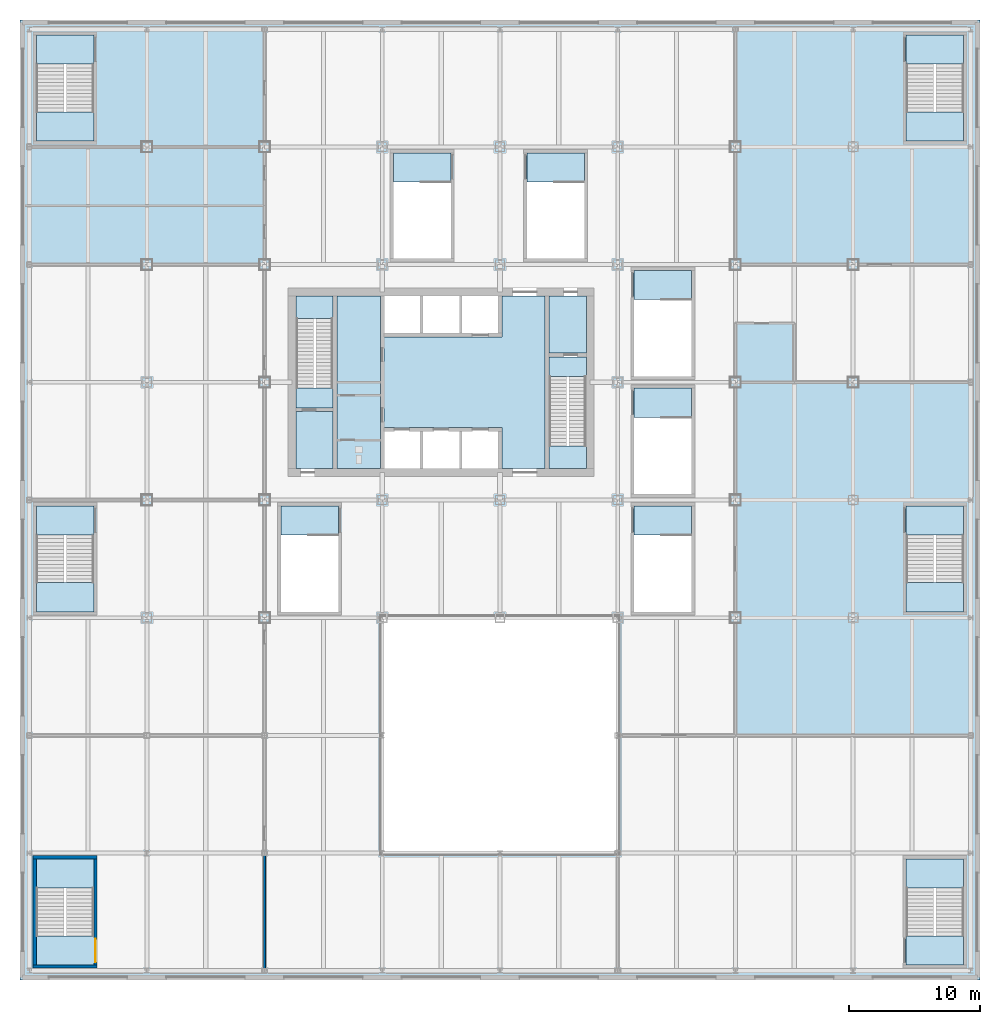
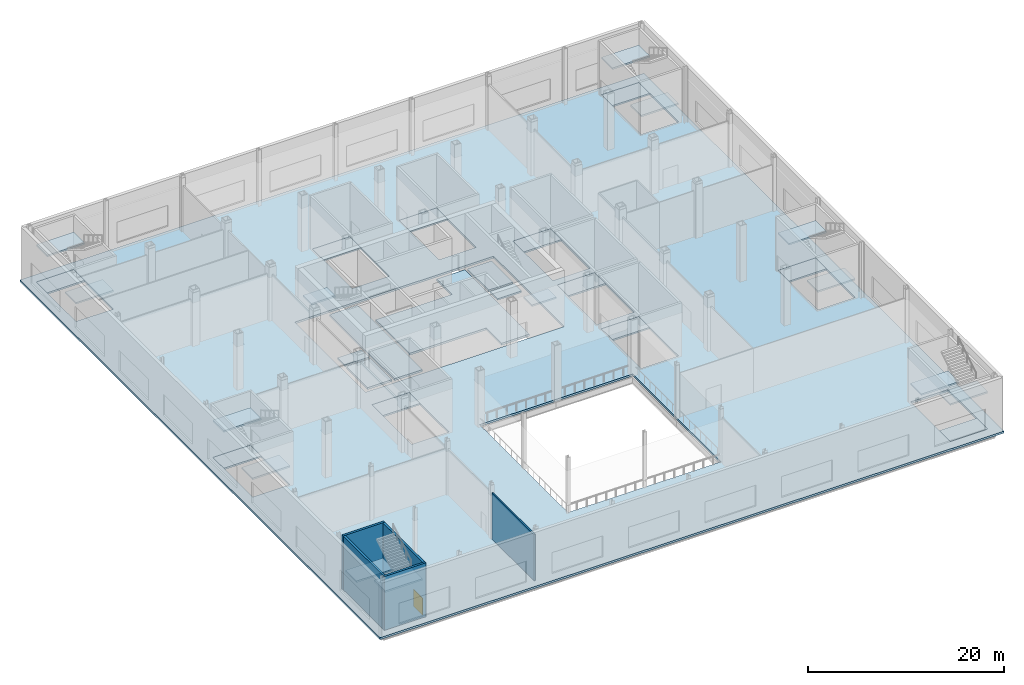
# One storey, part 10 of 32: 32 slabs, 5 walls, 1 door, 1 opening, 8 elements without a shape of their own.
"""IFC4 building model written with IfcOpenShell, lengths in metres."""

from ifc_helpers import new_model, si_unit, direction, frame, frame_2d, origin, place, context, subcontext, project, spatial, polyline, rectangle, outline, extrude, material, layer, layer_set, type_object, element, fill, aggregate, save


model = new_model("IFC4")

# Units and contexts
model_context = context("Model", 3, precision=1e-05, world=origin(), true_north=direction((0.0, 1.0)))
body_context = subcontext(model_context, "Body", "Model", "MODEL_VIEW")
ifc_project = project(units=[si_unit("LENGTHUNIT", "METRE"), si_unit("AREAUNIT", "SQUARE_METRE"), si_unit("VOLUMEUNIT", "CUBIC_METRE"), si_unit("PLANEANGLEUNIT", "RADIAN"), si_unit("MASSUNIT", "GRAM", prefix="KILO")], contexts=[model_context])

# Site, building, storey
site_placement = place(None, origin())
site = spatial("IfcSite", under=ifc_project, at=site_placement, CompositionType="ELEMENT")
building_placement = place(site_placement, origin())
building = spatial("IfcBuilding", under=site, at=building_placement, Name="Loomwork Tower", CompositionType="ELEMENT")
storey_placement = place(building_placement, frame((0.0, 0.0, 16.0)))
storey = spatial("IfcBuildingStorey", under=building, at=storey_placement, Name="L03", CompositionType="ELEMENT", Elevation=16.0)

# Slabs
ifc_material_1 = material(Name="Concrete 5000 psi (34 MPa) on composite metal deck", Category="concrete")
ifc_layer_1 = layer(ifc_material_1, 0.25)
ifc_layer_set_1 = layer_set([ifc_layer_1], Name="Floor slab 250")
slab_type_1 = type_object("IfcSlabType", Name="Floor slab 250", PredefinedType="FLOOR", material=ifc_layer_set_1)
slab_1_placement = place(storey_placement, frame((0.0, 0.0, -0.25)))
element("IfcSlab", 1, at=slab_1_placement, inside=storey, type_object=slab_type_1, Name="Floor slab L03", PredefinedType="FLOOR", context=body_context, shape_type="SweptSolid", body=[
    extrude(outline(polyline([(-9.699951171875, -27.699951171875), (-9.699951171875, 45.699951171875), (63.699951171875, 45.699951171875), (63.699951171875, -27.699951171875), (-9.699951171875, -27.699951171875)]), holes=[polyline([(58.050048828125, 36.449951171875), (62.449951171875, 36.449951171875), (62.449951171875, 44.550048828125), (58.050048828125, 44.550048828125), (58.050048828125, 36.449951171875)]), polyline([(58.050048828125, 0.449951171875), (62.449951171875, 0.449951171875), (62.449951171875, 8.550048828125), (58.050048828125, 8.550048828125), (58.050048828125, 0.449951171875)]), polyline([(58.050048828125, -26.550048828125), (62.449951171875, -26.550048828125), (62.449951171875, -18.449951171875), (58.050048828125, -18.449951171875), (58.050048828125, -26.550048828125)]), polyline([(41.64990234375, 9.449951171875), (41.64990234375, 17.550048828125), (37.25, 17.550048828125), (37.25, 9.449951171875), (41.64990234375, 9.449951171875)]), polyline([(37.25, 18.449951171875), (41.64990234375, 18.449951171875), (41.64990234375, 26.550048828125), (37.25, 26.550048828125), (37.25, 18.449951171875)]), polyline([(37.25, 0.449951171875), (41.64990234375, 0.449951171875), (41.64990234375, 8.550048828125), (37.25, 8.550048828125), (37.25, 0.449951171875)]), polyline([(18.0, -18.0), (36.0, -18.0), (36.0, 0.0), (18.0, 0.0), (18.0, -18.0)]), polyline([(34.199951171875, 11.39990234375), (34.199951171875, 24.60009765625), (34.199951171875, 25.199951171875), (10.800048828125, 25.199951171875), (10.800048828125, 24.60009765625), (10.800048828125, 11.39990234375), (10.800048828125, 11.39990234375), (10.800048828125, 10.800048828125), (34.199951171875, 10.800048828125), (34.199951171875, 11.39990234375), (34.199951171875, 11.39990234375)]), polyline([(29.050048828125, 27.449951171875), (33.449951171875, 27.449951171875), (33.449951171875, 35.550048828125), (29.050048828125, 35.550048828125), (29.050048828125, 27.449951171875)]), polyline([(18.85009765625, 27.449951171875), (23.25, 27.449951171875), (23.25, 35.550048828125), (18.85009765625, 35.550048828125), (18.85009765625, 27.449951171875)]), polyline([(10.25, 0.449951171875), (14.64990234375, 0.449951171875), (14.64990234375, 8.550048828125), (10.25, 8.550048828125), (10.25, 0.449951171875)]), polyline([(-4.050048828125, -26.550048828125), (-4.050048828125, -18.449951171875), (-8.449951171875, -18.449951171875), (-8.449951171875, -26.550048828125), (-4.050048828125, -26.550048828125)]), polyline([(-8.449951171875, 36.449951171875), (-4.050048828125, 36.449951171875), (-4.050048828125, 44.550048828125), (-8.449951171875, 44.550048828125), (-8.449951171875, 36.449951171875)]), polyline([(-8.449951171875, 0.449951171875), (-4.050048828125, 0.449951171875), (-4.050048828125, 8.550048828125), (-8.449951171875, 8.550048828125), (-8.449951171875, 0.449951171875)])]), origin(), (0.0, 0.0, 1.0), 0.25),
])
slab_2_placement = place(storey_placement, frame((0.0, 0.0, -0.25)))
element("IfcSlab", 2, at=slab_2_placement, inside=storey, type_object=slab_type_1, Name="Floor slab L03", PredefinedType="FLOOR", context=body_context, shape_type="SweptSolid", body=[
    extrude(outline(polyline([(18.14990234375, 21.449951171875), (27.14990234375, 21.449951171875), (27.14990234375, 21.75), (27.14990234375, 24.60009765625), (30.449951171875, 24.60009765625), (30.449951171875, 11.39990234375), (27.14990234375, 11.39990234375), (27.14990234375, 14.25), (27.14990234375, 14.550048828125), (18.14990234375, 14.550048828125), (18.14990234375, 21.449951171875)])), origin(), (0.0, 0.0, 1.0), 0.25),
])
slab_3_placement = place(storey_placement, frame((0.0, 0.0, -0.25)))
element("IfcSlab", 3, at=slab_3_placement, inside=storey, type_object=slab_type_1, Name="Floor slab L03", PredefinedType="FLOOR", context=body_context, shape_type="SweptSolid", body=[
    extrude(outline(polyline([(14.550048828125, 24.60009765625), (17.85009765625, 24.60009765625), (17.85009765625, 11.39990234375), (14.550048828125, 11.39990234375), (14.550048828125, 24.60009765625)])), origin(), (0.0, 0.0, 1.0), 0.25),
])
slab_4_placement = place(storey_placement, frame((0.0, 0.0, -0.25)))
element("IfcSlab", 4, at=slab_4_placement, inside=storey, type_object=slab_type_1, Name="Floor slab L03", PredefinedType="FLOOR", context=body_context, shape_type="SweptSolid", body=[
    extrude(outline(polyline([(33.60009765625, 20.25), (30.75, 20.25), (30.75, 24.60009765625), (33.60009765625, 24.60009765625), (33.60009765625, 20.25)])), origin(), (0.0, 0.0, 1.0), 0.25),
])
slab_5_placement = place(storey_placement, frame((0.0, 0.0, -0.25)))
element("IfcSlab", 5, at=slab_5_placement, inside=storey, type_object=slab_type_1, Name="Floor slab L03", PredefinedType="FLOOR", context=body_context, shape_type="SweptSolid", body=[
    extrude(outline(polyline([(14.25, 15.75), (14.25, 11.39990234375), (11.39990234375, 11.39990234375), (11.39990234375, 15.75), (14.25, 15.75)])), origin(), (0.0, 0.0, 1.0), 0.25),
])

# Stair, slabs
ifc_material_2 = material(Name="Concrete 5000 psi (34 MPa) precast stair", Category="concrete")
stair_type_1 = type_object("IfcStairType", Name="Stair ST-A 40 risers 2850 wide", PredefinedType="HALF_TURN_STAIR", material=ifc_material_2)
stair_1_placement = place(storey_placement, origin())
stair_1 = element("IfcStair", 6, at=stair_1_placement, inside=storey, type_object=stair_type_1, Name="Stair A L03", PredefinedType="HALF_TURN_STAIR")
ifc_material_3 = material(Name="Concrete 5000 psi (34 MPa)", Category="concrete")
ifc_layer_2 = layer(ifc_material_3, 0.199951171875)
ifc_layer_set_2 = layer_set([ifc_layer_2], Name="Stair landing 200")
slab_type_2 = type_object("IfcSlabType", Name="Stair landing 200", PredefinedType="LANDING", material=ifc_layer_set_2)
slab_6_placement = place(storey_placement, frame((0.0, 0.0, -0.199951171875)))
slab_6 = element("IfcSlab", 7, at=slab_6_placement, type_object=slab_type_2, Name="ST-A landing 1", PredefinedType="LANDING", context=body_context, shape_type="SweptSolid", body=[
    extrude(outline(polyline([(11.39990234375, 16.050048828125), (14.25, 16.050048828125), (14.25, 17.550048828125), (11.39990234375, 17.550048828125), (11.39990234375, 16.050048828125)])), origin(), (0.0, 0.0, 1.0), 0.199951171875),
])
slab_7_placement = place(storey_placement, frame((0.0, 0.0, 3.300048828125)))
slab_7 = element("IfcSlab", 8, at=slab_7_placement, type_object=slab_type_2, Name="ST-A landing 2", PredefinedType="LANDING", context=body_context, shape_type="SweptSolid", body=[
    extrude(outline(polyline([(11.39990234375, 22.8701171875), (14.25, 22.8701171875), (14.25, 24.60009765625), (11.39990234375, 24.60009765625), (11.39990234375, 22.8701171875)])), origin(), (0.0, 0.0, 1.0), 0.199951171875),
])
aggregate(stair_1, [slab_6, slab_7])

ifc_material_4 = material(Name="Concrete 5000 psi (34 MPa) precast stair", Category="concrete")
stair_type_2 = type_object("IfcStairType", Name="Stair ST-B 40 risers 2850 wide", PredefinedType="HALF_TURN_STAIR", material=ifc_material_4)
stair_2_placement = place(storey_placement, origin())
stair_2 = element("IfcStair", 9, at=stair_2_placement, inside=storey, type_object=stair_type_2, Name="Stair B L03", PredefinedType="HALF_TURN_STAIR")
slab_8_placement = place(storey_placement, frame((0.0, 0.0, -0.199951171875)))
slab_8 = element("IfcSlab", 10, at=slab_8_placement, type_object=slab_type_2, Name="ST-B landing 1", PredefinedType="LANDING", context=body_context, shape_type="SweptSolid", body=[
    extrude(outline(polyline([(30.75, 18.449951171875), (33.60009765625, 18.449951171875), (33.60009765625, 19.949951171875), (30.75, 19.949951171875), (30.75, 18.449951171875)])), origin(), (0.0, 0.0, 1.0), 0.199951171875),
])
slab_9_placement = place(storey_placement, frame((0.0, 0.0, 3.300048828125)))
slab_9 = element("IfcSlab", 11, at=slab_9_placement, type_object=slab_type_2, Name="ST-B landing 2", PredefinedType="LANDING", context=body_context, shape_type="SweptSolid", body=[
    extrude(outline(polyline([(30.75, 11.39990234375), (33.60009765625, 11.39990234375), (33.60009765625, 13.1298828125), (30.75, 13.1298828125), (30.75, 11.39990234375)])), origin(), (0.0, 0.0, 1.0), 0.199951171875),
])
aggregate(stair_2, [slab_8, slab_9])

ifc_material_5 = material(Name="Concrete 5000 psi (34 MPa) precast stair", Category="concrete")
stair_type_3 = type_object("IfcStairType", Name="Stair ST-S1P 42 risers of 167 4400 wide", PredefinedType="HALF_TURN_STAIR", material=ifc_material_5)
stair_3_placement = place(storey_placement, origin())
stair_3 = element("IfcStair", 12, at=stair_3_placement, inside=storey, type_object=stair_type_3, Name="Podium stair PS1 L03", PredefinedType="HALF_TURN_STAIR")
slab_10_placement = place(storey_placement, frame((0.0, 0.0, 2.13330078125)))
slab_10 = element("IfcSlab", 13, at=slab_10_placement, type_object=slab_type_2, Name="ST-S1P landing 2", PredefinedType="LANDING", context=body_context, shape_type="SweptSolid", body=[
    extrude(outline(polyline([(-8.449951171875, -20.679931640625), (-4.050048828125, -20.679931640625), (-4.050048828125, -18.449951171875), (-8.449951171875, -18.449951171875), (-8.449951171875, -20.679931640625)])), origin(), (0.0, 0.0, 1.0), 0.199951171875),
])
slab_11_placement = place(storey_placement, frame((0.0, 0.0, 4.466796875)))
slab_11 = element("IfcSlab", 14, at=slab_11_placement, type_object=slab_type_2, Name="ST-S1P landing 3", PredefinedType="LANDING", context=body_context, shape_type="SweptSolid", body=[
    extrude(outline(polyline([(-8.449951171875, -26.550048828125), (-4.050048828125, -26.550048828125), (-4.050048828125, -24.320068359375), (-8.449951171875, -24.320068359375), (-8.449951171875, -26.550048828125)])), origin(), (0.0, 0.0, 1.0), 0.199951171875),
])
aggregate(stair_3, [slab_10, slab_11])

ifc_material_6 = material(Name="Concrete 5000 psi (34 MPa) precast stair", Category="concrete")
stair_type_4 = type_object("IfcStairType", Name="Stair ST-S2P 42 risers of 167 4400 wide", PredefinedType="HALF_TURN_STAIR", material=ifc_material_6)
stair_4_placement = place(storey_placement, origin())
stair_4 = element("IfcStair", 15, at=stair_4_placement, inside=storey, type_object=stair_type_4, Name="Podium stair PS2 L03", PredefinedType="HALF_TURN_STAIR")
slab_12_placement = place(storey_placement, frame((0.0, 0.0, -0.199951171875)))
slab_12 = element("IfcSlab", 16, at=slab_12_placement, type_object=slab_type_2, Name="ST-S2P landing 1", PredefinedType="LANDING", context=body_context, shape_type="SweptSolid", body=[
    extrude(outline(polyline([(58.050048828125, -26.550048828125), (62.449951171875, -26.550048828125), (62.449951171875, -24.320068359375), (58.050048828125, -24.320068359375), (58.050048828125, -26.550048828125)])), origin(), (0.0, 0.0, 1.0), 0.199951171875),
])
slab_13_placement = place(storey_placement, frame((0.0, 0.0, 2.13330078125)))
slab_13 = element("IfcSlab", 17, at=slab_13_placement, type_object=slab_type_2, Name="ST-S2P landing 2", PredefinedType="LANDING", context=body_context, shape_type="SweptSolid", body=[
    extrude(outline(polyline([(58.050048828125, -20.679931640625), (62.449951171875, -20.679931640625), (62.449951171875, -18.449951171875), (58.050048828125, -18.449951171875), (58.050048828125, -20.679931640625)])), origin(), (0.0, 0.0, 1.0), 0.199951171875),
])
slab_14_placement = place(storey_placement, frame((0.0, 0.0, 4.466796875)))
slab_14 = element("IfcSlab", 18, at=slab_14_placement, type_object=slab_type_2, Name="ST-S2P landing 3", PredefinedType="LANDING", context=body_context, shape_type="SweptSolid", body=[
    extrude(outline(polyline([(58.050048828125, -26.550048828125), (62.449951171875, -26.550048828125), (62.449951171875, -24.320068359375), (58.050048828125, -24.320068359375), (58.050048828125, -26.550048828125)])), origin(), (0.0, 0.0, 1.0), 0.199951171875),
])
aggregate(stair_4, [slab_12, slab_13, slab_14])

ifc_material_7 = material(Name="Concrete 5000 psi (34 MPa) precast stair", Category="concrete")
stair_type_5 = type_object("IfcStairType", Name="Stair ST-S3P 42 risers of 167 4400 wide", PredefinedType="HALF_TURN_STAIR", material=ifc_material_7)
stair_5_placement = place(storey_placement, origin())
stair_5 = element("IfcStair", 19, at=stair_5_placement, inside=storey, type_object=stair_type_5, Name="Podium stair PS3 L03", PredefinedType="HALF_TURN_STAIR")
slab_15_placement = place(storey_placement, frame((0.0, 0.0, -0.199951171875)))
slab_15 = element("IfcSlab", 20, at=slab_15_placement, type_object=slab_type_2, Name="ST-S3P landing 1", PredefinedType="LANDING", context=body_context, shape_type="SweptSolid", body=[
    extrude(outline(polyline([(-8.449951171875, 42.320068359375), (-4.050048828125, 42.320068359375), (-4.050048828125, 44.550048828125), (-8.449951171875, 44.550048828125), (-8.449951171875, 42.320068359375)])), origin(), (0.0, 0.0, 1.0), 0.199951171875),
])
slab_16_placement = place(storey_placement, frame((0.0, 0.0, 2.13330078125)))
slab_16 = element("IfcSlab", 21, at=slab_16_placement, type_object=slab_type_2, Name="ST-S3P landing 2", PredefinedType="LANDING", context=body_context, shape_type="SweptSolid", body=[
    extrude(outline(polyline([(-8.449951171875, 36.449951171875), (-4.050048828125, 36.449951171875), (-4.050048828125, 38.679931640625), (-8.449951171875, 38.679931640625), (-8.449951171875, 36.449951171875)])), origin(), (0.0, 0.0, 1.0), 0.199951171875),
])
slab_17_placement = place(storey_placement, frame((0.0, 0.0, 4.466796875)))
slab_17 = element("IfcSlab", 22, at=slab_17_placement, type_object=slab_type_2, Name="ST-S3P landing 3", PredefinedType="LANDING", context=body_context, shape_type="SweptSolid", body=[
    extrude(outline(polyline([(-8.449951171875, 42.320068359375), (-4.050048828125, 42.320068359375), (-4.050048828125, 44.550048828125), (-8.449951171875, 44.550048828125), (-8.449951171875, 42.320068359375)])), origin(), (0.0, 0.0, 1.0), 0.199951171875),
])
aggregate(stair_5, [slab_15, slab_16, slab_17])

ifc_material_8 = material(Name="Concrete 5000 psi (34 MPa) precast stair", Category="concrete")
stair_type_6 = type_object("IfcStairType", Name="Stair ST-S4P 42 risers of 167 4400 wide", PredefinedType="HALF_TURN_STAIR", material=ifc_material_8)
stair_6_placement = place(storey_placement, origin())
stair_6 = element("IfcStair", 23, at=stair_6_placement, inside=storey, type_object=stair_type_6, Name="Podium stair PS4 L03", PredefinedType="HALF_TURN_STAIR")
slab_18_placement = place(storey_placement, frame((0.0, 0.0, -0.199951171875)))
slab_18 = element("IfcSlab", 24, at=slab_18_placement, type_object=slab_type_2, Name="ST-S4P landing 1", PredefinedType="LANDING", context=body_context, shape_type="SweptSolid", body=[
    extrude(outline(polyline([(58.050048828125, 42.320068359375), (62.449951171875, 42.320068359375), (62.449951171875, 44.550048828125), (58.050048828125, 44.550048828125), (58.050048828125, 42.320068359375)])), origin(), (0.0, 0.0, 1.0), 0.199951171875),
])
slab_19_placement = place(storey_placement, frame((0.0, 0.0, 2.13330078125)))
slab_19 = element("IfcSlab", 25, at=slab_19_placement, type_object=slab_type_2, Name="ST-S4P landing 2", PredefinedType="LANDING", context=body_context, shape_type="SweptSolid", body=[
    extrude(outline(polyline([(58.050048828125, 36.449951171875), (62.449951171875, 36.449951171875), (62.449951171875, 38.679931640625), (58.050048828125, 38.679931640625), (58.050048828125, 36.449951171875)])), origin(), (0.0, 0.0, 1.0), 0.199951171875),
])
slab_20_placement = place(storey_placement, frame((0.0, 0.0, 4.466796875)))
slab_20 = element("IfcSlab", 26, at=slab_20_placement, type_object=slab_type_2, Name="ST-S4P landing 3", PredefinedType="LANDING", context=body_context, shape_type="SweptSolid", body=[
    extrude(outline(polyline([(58.050048828125, 42.320068359375), (62.449951171875, 42.320068359375), (62.449951171875, 44.550048828125), (58.050048828125, 44.550048828125), (58.050048828125, 42.320068359375)])), origin(), (0.0, 0.0, 1.0), 0.199951171875),
])
aggregate(stair_6, [slab_18, slab_19, slab_20])

ifc_material_9 = material(Name="Concrete 5000 psi (34 MPa) precast stair", Category="concrete")
stair_type_7 = type_object("IfcStairType", Name="Stair ST-S5P 42 risers of 167 4400 wide", PredefinedType="HALF_TURN_STAIR", material=ifc_material_9)
stair_7_placement = place(storey_placement, origin())
stair_7 = element("IfcStair", 27, at=stair_7_placement, inside=storey, type_object=stair_type_7, Name="Podium stair PS5 L03", PredefinedType="HALF_TURN_STAIR")
slab_21_placement = place(storey_placement, frame((0.0, 0.0, -0.199951171875)))
slab_21 = element("IfcSlab", 28, at=slab_21_placement, type_object=slab_type_2, Name="ST-S5P landing 1", PredefinedType="LANDING", context=body_context, shape_type="SweptSolid", body=[
    extrude(outline(polyline([(-8.449951171875, 6.320068359375), (-4.050048828125, 6.320068359375), (-4.050048828125, 8.550048828125), (-8.449951171875, 8.550048828125), (-8.449951171875, 6.320068359375)])), origin(), (0.0, 0.0, 1.0), 0.199951171875),
])
slab_22_placement = place(storey_placement, frame((0.0, 0.0, 2.13330078125)))
slab_22 = element("IfcSlab", 29, at=slab_22_placement, type_object=slab_type_2, Name="ST-S5P landing 2", PredefinedType="LANDING", context=body_context, shape_type="SweptSolid", body=[
    extrude(outline(polyline([(-8.449951171875, 0.449951171875), (-4.050048828125, 0.449951171875), (-4.050048828125, 2.679931640625), (-8.449951171875, 2.679931640625), (-8.449951171875, 0.449951171875)])), origin(), (0.0, 0.0, 1.0), 0.199951171875),
])
slab_23_placement = place(storey_placement, frame((0.0, 0.0, 4.466796875)))
slab_23 = element("IfcSlab", 30, at=slab_23_placement, type_object=slab_type_2, Name="ST-S5P landing 3", PredefinedType="LANDING", context=body_context, shape_type="SweptSolid", body=[
    extrude(outline(polyline([(-8.449951171875, 6.320068359375), (-4.050048828125, 6.320068359375), (-4.050048828125, 8.550048828125), (-8.449951171875, 8.550048828125), (-8.449951171875, 6.320068359375)])), origin(), (0.0, 0.0, 1.0), 0.199951171875),
])
aggregate(stair_7, [slab_21, slab_22, slab_23])

ifc_material_10 = material(Name="Concrete 5000 psi (34 MPa) precast stair", Category="concrete")
stair_type_8 = type_object("IfcStairType", Name="Stair ST-S6P 42 risers of 167 4400 wide", PredefinedType="HALF_TURN_STAIR", material=ifc_material_10)
stair_8_placement = place(storey_placement, origin())
stair_8 = element("IfcStair", 31, at=stair_8_placement, inside=storey, type_object=stair_type_8, Name="Podium stair PS6 L03", PredefinedType="HALF_TURN_STAIR")
slab_24_placement = place(storey_placement, frame((0.0, 0.0, -0.199951171875)))
slab_24 = element("IfcSlab", 32, at=slab_24_placement, type_object=slab_type_2, Name="ST-S6P landing 1", PredefinedType="LANDING", context=body_context, shape_type="SweptSolid", body=[
    extrude(outline(polyline([(58.050048828125, 6.320068359375), (62.449951171875, 6.320068359375), (62.449951171875, 8.550048828125), (58.050048828125, 8.550048828125), (58.050048828125, 6.320068359375)])), origin(), (0.0, 0.0, 1.0), 0.199951171875),
])
slab_25_placement = place(storey_placement, frame((0.0, 0.0, 2.13330078125)))
slab_25 = element("IfcSlab", 33, at=slab_25_placement, type_object=slab_type_2, Name="ST-S6P landing 2", PredefinedType="LANDING", context=body_context, shape_type="SweptSolid", body=[
    extrude(outline(polyline([(58.050048828125, 0.449951171875), (62.449951171875, 0.449951171875), (62.449951171875, 2.679931640625), (58.050048828125, 2.679931640625), (58.050048828125, 0.449951171875)])), origin(), (0.0, 0.0, 1.0), 0.199951171875),
])
slab_26_placement = place(storey_placement, frame((0.0, 0.0, 4.466796875)))
slab_26 = element("IfcSlab", 34, at=slab_26_placement, type_object=slab_type_2, Name="ST-S6P landing 3", PredefinedType="LANDING", context=body_context, shape_type="SweptSolid", body=[
    extrude(outline(polyline([(58.050048828125, 6.320068359375), (62.449951171875, 6.320068359375), (62.449951171875, 8.550048828125), (58.050048828125, 8.550048828125), (58.050048828125, 6.320068359375)])), origin(), (0.0, 0.0, 1.0), 0.199951171875),
])
aggregate(stair_8, [slab_24, slab_25, slab_26])

# Slabs
slab_27_placement = place(storey_placement, frame((0.0, 0.0, -0.199951171875)))
element("IfcSlab", 35, at=slab_27_placement, inside=storey, type_object=slab_type_2, Name="Stair PS7 top landing", PredefinedType="LANDING", context=body_context, shape_type="SweptSolid", body=[
    extrude(outline(polyline([(37.25, 6.320068359375), (41.64990234375, 6.320068359375), (41.64990234375, 8.550048828125), (37.25, 8.550048828125), (37.25, 6.320068359375)])), origin(), (0.0, 0.0, 1.0), 0.199951171875),
])
slab_28_placement = place(storey_placement, frame((0.0, 0.0, -0.199951171875)))
element("IfcSlab", 36, at=slab_28_placement, inside=storey, type_object=slab_type_2, Name="Stair PS8 top landing", PredefinedType="LANDING", context=body_context, shape_type="SweptSolid", body=[
    extrude(outline(polyline([(37.25, 15.320068359375), (41.64990234375, 15.320068359375), (41.64990234375, 17.550048828125), (37.25, 17.550048828125), (37.25, 15.320068359375)])), origin(), (0.0, 0.0, 1.0), 0.199951171875),
])
slab_29_placement = place(storey_placement, frame((0.0, 0.0, -0.199951171875)))
element("IfcSlab", 37, at=slab_29_placement, inside=storey, type_object=slab_type_2, Name="Stair PS9 top landing", PredefinedType="LANDING", context=body_context, shape_type="SweptSolid", body=[
    extrude(outline(polyline([(37.25, 24.320068359375), (41.64990234375, 24.320068359375), (41.64990234375, 26.550048828125), (37.25, 26.550048828125), (37.25, 24.320068359375)])), origin(), (0.0, 0.0, 1.0), 0.199951171875),
])
slab_30_placement = place(storey_placement, frame((0.0, 0.0, -0.199951171875)))
element("IfcSlab", 38, at=slab_30_placement, inside=storey, type_object=slab_type_2, Name="Stair PS10 top landing", PredefinedType="LANDING", context=body_context, shape_type="SweptSolid", body=[
    extrude(outline(polyline([(18.85009765625, 33.320068359375), (23.25, 33.320068359375), (23.25, 35.550048828125), (18.85009765625, 35.550048828125), (18.85009765625, 33.320068359375)])), origin(), (0.0, 0.0, 1.0), 0.199951171875),
])
slab_31_placement = place(storey_placement, frame((0.0, 0.0, -0.199951171875)))
element("IfcSlab", 39, at=slab_31_placement, inside=storey, type_object=slab_type_2, Name="Stair PS11 top landing", PredefinedType="LANDING", context=body_context, shape_type="SweptSolid", body=[
    extrude(outline(polyline([(29.050048828125, 33.320068359375), (33.449951171875, 33.320068359375), (33.449951171875, 35.550048828125), (29.050048828125, 35.550048828125), (29.050048828125, 33.320068359375)])), origin(), (0.0, 0.0, 1.0), 0.199951171875),
])
slab_32_placement = place(storey_placement, frame((0.0, 0.0, -0.199951171875)))
element("IfcSlab", 40, at=slab_32_placement, inside=storey, type_object=slab_type_2, Name="Stair PS12 top landing", PredefinedType="LANDING", context=body_context, shape_type="SweptSolid", body=[
    extrude(outline(polyline([(10.25, 6.320068359375), (14.64990234375, 6.320068359375), (14.64990234375, 8.550048828125), (10.25, 8.550048828125), (10.25, 6.320068359375)])), origin(), (0.0, 0.0, 1.0), 0.199951171875),
])

# Walls
ifc_material_11 = material(Name="Gypsum board on steel studs, one-hour", Category="steel")
ifc_layer_3 = layer(ifc_material_11, 0.14990234375)
ifc_layer_set_3 = layer_set([ifc_layer_3], Name="Partition 150")
wall_type_1 = type_object("IfcWallType", Name="Partition 150", PredefinedType="PARTITIONING", material=ifc_layer_set_3)
wall_1_placement = place(storey_placement, frame((9.0, -18.18798828125, 0.0), z_axis=(0.0, 0.0, 1.0), x_axis=(0.0, -1.0, 0.0)))
element("IfcWall", 41, at=wall_1_placement, inside=storey, type_object=wall_type_1, Name="Partition L03 6.2", PredefinedType="PARTITIONING", context=body_context, shape_type="SweptSolid", body=[
    extrude(rectangle(XDim=8.6240234375, YDim=0.14990234375, at=frame_2d((4.31201171875, 0.0))), origin(), (0.0, 0.0, 1.0), 5.752685546875),
])
ifc_material_12 = material(Name="Concrete masonry, two-hour", Category="masonry")
ifc_layer_4 = layer(ifc_material_12, 0.25)
ifc_layer_set_4 = layer_set([ifc_layer_4], Name="Stair enclosure wall 250")
wall_type_2 = type_object("IfcWallType", Name="Stair enclosure wall 250", PredefinedType="SOLIDWALL", material=ifc_layer_set_4)
for number, where, z_axis, x_axis, name in (
    (42, (-8.699951171875, -26.675048828125, 0.0), (0.0, 0.0, 1.0), (1.0, 0.0, 0.0), "Stair PS1 enclosure wall S L03"),
    (43, (-8.699951171875, -18.324951171875, 0.0), (0.0, 0.0, 1.0), (1.0, 0.0, 0.0), "Stair PS1 enclosure wall N L03"),
):
    element("IfcWall", number, at=place(storey_placement, frame(where, z_axis=z_axis, x_axis=x_axis)), inside=storey, type_object=wall_type_2, Name=name, PredefinedType="SOLIDWALL", context=body_context, shape_type="SweptSolid", body=[
        extrude(rectangle(XDim=4.89990234375, YDim=0.25, at=frame_2d((2.449951171875, 0.0))), origin(), (0.0, 0.0, 1.0), 6.699951171875),
    ])
wall_2_placement = place(storey_placement, frame((-8.574951171875, -26.550048828125, 0.0), z_axis=(0.0, 0.0, 1.0), x_axis=(0.0, 1.0, 0.0)))
element("IfcWall", 44, at=wall_2_placement, inside=storey, type_object=wall_type_2, Name="Stair PS1 enclosure wall W L03", PredefinedType="SOLIDWALL", context=body_context, shape_type="SweptSolid", body=[
    extrude(rectangle(XDim=8.10009765625, YDim=0.25, at=frame_2d((4.050048828125, 0.0))), origin(), (0.0, 0.0, 1.0), 6.699951171875),
])

# Wall, opening, door
wall_3_placement = place(storey_placement, frame((-3.925048828125, -26.550048828125, 0.0), z_axis=(0.0, 0.0, 1.0), x_axis=(0.0, 1.0, 0.0)))
wall_3 = element("IfcWall", 45, at=wall_3_placement, inside=storey, type_object=wall_type_2, Name="Stair PS1 enclosure wall E L03", PredefinedType="SOLIDWALL", context=body_context, shape_type="SweptSolid", body=[
    extrude(rectangle(XDim=8.10009765625, YDim=0.25, at=frame_2d((4.050048828125, 0.0))), origin(), (0.0, 0.0, 1.0), 6.699951171875),
])
opening_placement = place(wall_3_placement, frame((0.199951171875, 0.0, 0.0)))
opening = element("IfcOpeningElement", 46, at=opening_placement, cuts=wall_3, Name="Opening D14", PredefinedType="OPENING", context=body_context, shape_type="SweptSolid", body=[
    extrude(rectangle(XDim=1.800048828125, YDim=2.10009765625, at=frame_2d((0.89990234375, 1.050048828125))), frame((0.0, 0.135009765625, 0.0), z_axis=(0.0, -1.0, 0.0), x_axis=(1.0, 0.0, 0.0)), (0.0, 0.0, 1.0), 0.27001953125),
])
ifc_material_13 = material(Name="Hollow metal door and frame")
door_type = type_object("IfcDoorType", Name="Stair double door 1800", OperationType="DOUBLE_DOOR_SINGLE_SWING", PredefinedType="DOOR", material=ifc_material_13)
door_placement = place(opening_placement, origin())
door = element("IfcDoor", 47, at=door_placement, inside=storey, type_object=door_type, Name="Stair PS1 door L03", OperationType="DOUBLE_DOOR_SINGLE_SWING", OverallHeight=2.10009765625, OverallWidth=1.800048828125, PredefinedType="DOOR", context=body_context, shape_type="SweptSolid", body=[
    extrude(rectangle(XDim=1.800048828125, YDim=2.10009765625, at=frame_2d((0.89990234375, 1.050048828125))), frame((0.0, 0.02490234375, 0.0), z_axis=(0.0, -1.0, 0.0), x_axis=(1.0, 0.0, 0.0)), (0.0, 0.0, 1.0), 0.050048828125),
])
fill(opening, door)

save(model, "model.ifc")
